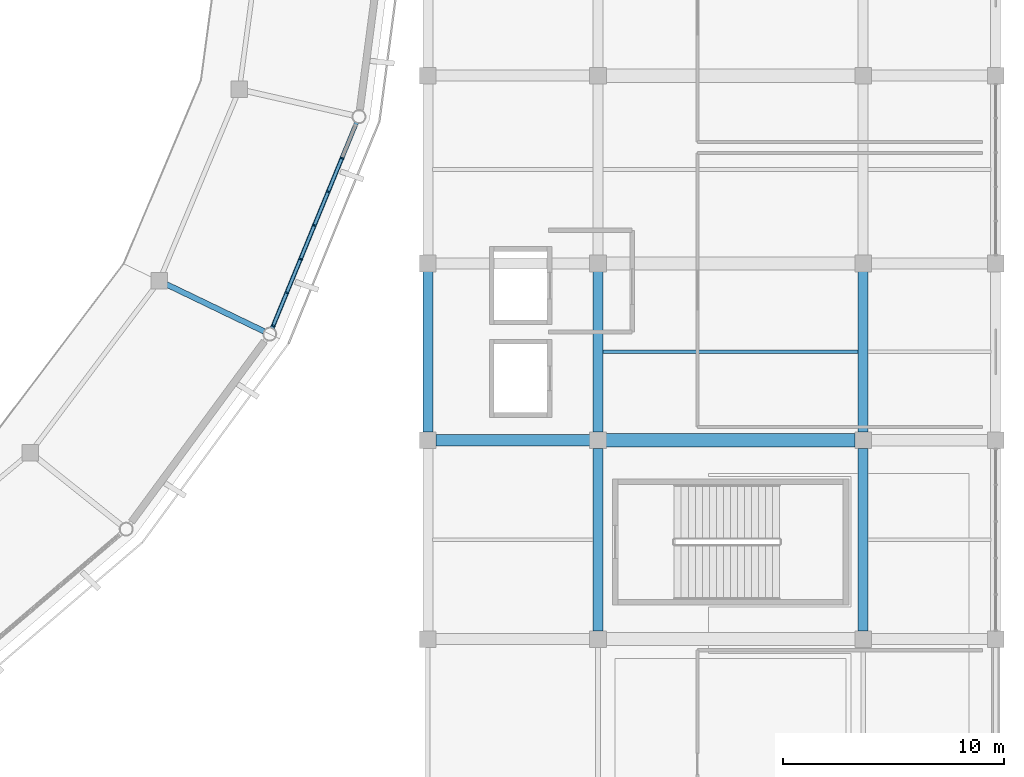
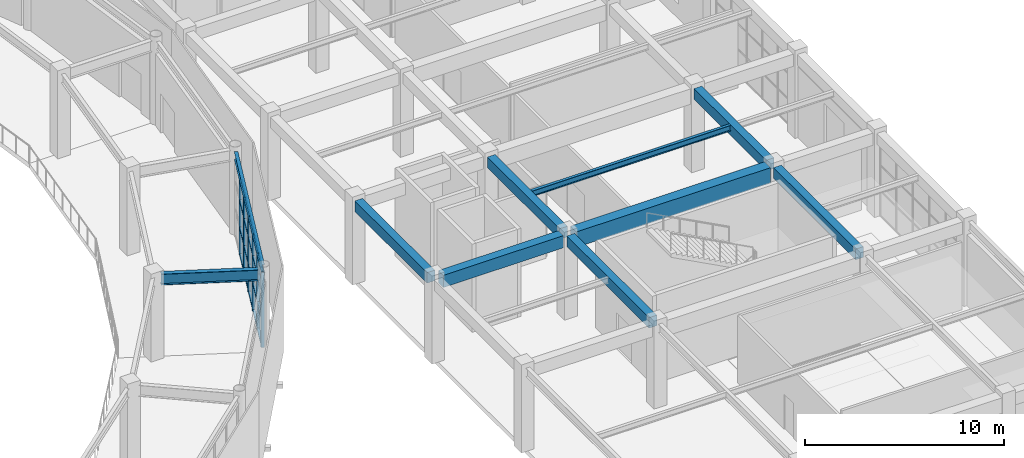
# One storey, part 34 of 70: 26 members, 10 beams, 1 element without a shape of its own.
"""IFC4 building model written with IfcOpenShell, lengths in metres."""

from ifc_helpers import new_model, si_unit, direction, frame, origin, origin_2d, place, context, subcontext, project, spatial, rectangle, i_section, extrude, material, material_profile, profile_set, type_object, element, aggregate, save


model = new_model("IFC4")

# Units and contexts
model_context = context("Model", 3, precision=1e-05, world=origin(), true_north=direction((0.0, 1.0)))
body_context = subcontext(model_context, "Body", "Model", "MODEL_VIEW")
ifc_project = project(units=[si_unit("LENGTHUNIT", "METRE"), si_unit("AREAUNIT", "SQUARE_METRE"), si_unit("VOLUMEUNIT", "CUBIC_METRE"), si_unit("PLANEANGLEUNIT", "RADIAN"), si_unit("MASSUNIT", "GRAM", prefix="KILO")], contexts=[model_context])

# Site, building, storey
site_placement = place(None, origin())
site = spatial("IfcSite", under=ifc_project, at=site_placement, CompositionType="ELEMENT")
building_placement = place(site_placement, origin())
building = spatial("IfcBuilding", under=site, at=building_placement, Name="Cuetzalor Civic Arena", CompositionType="ELEMENT")
storey_placement = place(building_placement, frame((0.0, 0.0, 21.0)))
storey = spatial("IfcBuildingStorey", under=building, at=storey_placement, Name="L04", CompositionType="ELEMENT", Elevation=21.0)

# Beams
ifc_material_1 = material(Name="Concrete C40/50", Category="concrete")
ifc_material_profile_1 = material_profile(ifc_material_1, rectangle(XDim=0.5, YDim=0.75, at=origin_2d()), Name="RC 500x750")
ifc_profile_set_1 = profile_set([ifc_material_profile_1], Name="Concrete C40/50")
beam_type_1 = type_object("IfcBeamType", Name="ConcreteFrameBeam_500x750", PredefinedType="BEAM", material=ifc_profile_set_1)
beam_1_placement = place(storey_placement, frame((56.6650390625, -25.0, 4.7451171875), z_axis=(1.0, 0.0, 0.0), x_axis=(0.0, 1.0, 0.0)))
element("IfcBeam", 1, at=beam_1_placement, inside=storey, type_object=beam_type_1, Name="Frame Girder V4E-L04-X1154", PredefinedType="BEAM", context=body_context, shape_type="SweptSolid", body=[
    extrude(rectangle(XDim=0.5, YDim=0.75, at=origin_2d()), origin(), (0.0, 0.0, 1.0), 6.969970703125),
])
ifc_material_2 = material(Name="Concrete C40/50", Category="concrete")
ifc_material_profile_2 = material_profile(ifc_material_2, rectangle(XDim=0.60009765625, YDim=0.949951171875, at=origin_2d()), Name="RC 600x950")
ifc_profile_set_2 = profile_set([ifc_material_profile_2], Name="Concrete C40/50")
beam_type_2 = type_object("IfcBeamType", Name="ConcreteFrameBeam_600x950", PredefinedType="BEAM", material=ifc_profile_set_2)
beam_2_placement = place(storey_placement, frame((64.364990234375, -25.0, 4.64501953125), z_axis=(1.0, 0.0, 0.0), x_axis=(0.0, 1.0, 0.0)))
element("IfcBeam", 2, at=beam_2_placement, inside=storey, type_object=beam_type_2, Name="Frame Girder V4E-L04-X1155", PredefinedType="BEAM", context=body_context, shape_type="SweptSolid", body=[
    extrude(rectangle(XDim=0.60009765625, YDim=0.949951171875, at=origin_2d()), origin(), (0.0, 0.0, 1.0), 11.27001953125),
])
ifc_material_3 = material(Name="Concrete C40/50", Category="concrete")
ifc_material_profile_3 = material_profile(ifc_material_3, rectangle(XDim=0.449951171875, YDim=0.64990234375, at=origin_2d()), Name="RC 450x650")
ifc_profile_set_3 = profile_set([ifc_material_profile_3], Name="Concrete C40/50")
beam_type_3 = type_object("IfcBeamType", Name="ConcreteTieBeam_450x650", PredefinedType="BEAM", material=ifc_profile_set_3)
beam_3_placement = place(storey_placement, frame((56.300048828125, -24.635009765625, 4.794921875), z_axis=(0.0, 1.0, 0.0), x_axis=(-1.0, 0.0, 0.0)))
element("IfcBeam", 3, at=beam_3_placement, inside=storey, type_object=beam_type_3, Name="Frame Girder V4E-L04-Y1177", PredefinedType="BEAM", context=body_context, shape_type="SweptSolid", body=[
    extrude(rectangle(XDim=0.449951171875, YDim=0.64990234375, at=origin_2d()), origin(), (0.0, 0.0, 1.0), 7.27001953125),
])
beam_4_placement = place(storey_placement, frame((64.0, -33.635009765625, 4.794921875), z_axis=(0.0, 1.0, 0.0), x_axis=(-1.0, 0.0, 0.0)))
element("IfcBeam", 4, at=beam_4_placement, inside=storey, type_object=beam_type_3, Name="Frame Girder V4E-L04-Y1184", PredefinedType="BEAM", context=body_context, shape_type="SweptSolid", body=[
    extrude(rectangle(XDim=0.449951171875, YDim=0.64990234375, at=origin_2d()), origin(), (0.0, 0.0, 1.0), 8.27001953125),
])
beam_5_placement = place(storey_placement, frame((64.0, -24.635009765625, 4.794921875), z_axis=(0.0, 1.0, 0.0), x_axis=(-1.0, 0.0, 0.0)))
element("IfcBeam", 5, at=beam_5_placement, inside=storey, type_object=beam_type_3, Name="Frame Girder V4E-L04-Y1185", PredefinedType="BEAM", context=body_context, shape_type="SweptSolid", body=[
    extrude(rectangle(XDim=0.449951171875, YDim=0.64990234375, at=origin_2d()), origin(), (0.0, 0.0, 1.0), 7.27001953125),
])
beam_6_placement = place(storey_placement, frame((76.0, -33.635009765625, 4.794921875), z_axis=(0.0, 1.0, 0.0), x_axis=(-1.0, 0.0, 0.0)))
element("IfcBeam", 6, at=beam_6_placement, inside=storey, type_object=beam_type_3, Name="Frame Girder V4E-L04-Y1192", PredefinedType="BEAM", context=body_context, shape_type="SweptSolid", body=[
    extrude(rectangle(XDim=0.449951171875, YDim=0.64990234375, at=origin_2d()), origin(), (0.0, 0.0, 1.0), 8.27001953125),
])
beam_7_placement = place(storey_placement, frame((76.0, -24.635009765625, 4.794921875), z_axis=(0.0, 1.0, 0.0), x_axis=(-1.0, 0.0, 0.0)))
element("IfcBeam", 7, at=beam_7_placement, inside=storey, type_object=beam_type_3, Name="Frame Girder V4E-L04-Y1193", PredefinedType="BEAM", context=body_context, shape_type="SweptSolid", body=[
    extrude(rectangle(XDim=0.449951171875, YDim=0.64990234375, at=origin_2d()), origin(), (0.0, 0.0, 1.0), 7.27001953125),
])

# Curtain wall, members
ifc_material_4 = material(Name="Anodised dark bronze aluminium and low-E solar glass", Category="aluminium")
curtain_wall_type = type_object("IfcCurtainWallType", Name="UnitisedCW_9850x4650", PredefinedType="USERDEFINED", material=ifc_material_4)
curtain_wall_placement = place(storey_placement, origin())
curtain_wall = element("IfcCurtainWall", 8, at=curtain_wall_placement, inside=storey, type_object=curtain_wall_type, Name="Drum Triangle Foyer Curtain Wall L04-068", ObjectType="UNITISED CURTAIN WALL", PredefinedType="USERDEFINED")
ifc_material_5 = material(Name="Anodised dark bronze aluminium", Category="aluminium")
ifc_material_profile_4 = material_profile(ifc_material_5, rectangle(XDim=0.070068359375, YDim=0.179931640625, at=origin_2d()), Name="ALU MULLION 70x180")
ifc_profile_set_4 = profile_set([ifc_material_profile_4], Name="Anodised dark bronze aluminium")
member_type_1 = type_object("IfcMemberType", Name="CurtainWallMullion_65x180", PredefinedType="MULLION", material=ifc_profile_set_4)
member_1_placement = place(storey_placement, frame((52.413818359375, -12.232421875, 0.0), z_axis=(0.0, 0.0, 1.0), x_axis=(-0.379391428583, -0.925236263836, 0.0)))
member_1 = element("IfcMember", 9, at=member_1_placement, type_object=member_type_1, Name="CW-11 mullion 2", PredefinedType="MULLION", context=body_context, shape_type="SweptSolid", body=[
    extrude(rectangle(XDim=0.070068359375, YDim=0.179931640625, at=origin_2d()), origin(), (0.0, 0.0, 1.0), 4.653076171875),
])
member_2_placement = place(storey_placement, frame((51.78955078125, -13.755126953125, 0.0), z_axis=(0.0, 0.0, 1.0), x_axis=(-0.379391428583, -0.925236263836, 0.0)))
member_2 = element("IfcMember", 10, at=member_2_placement, type_object=member_type_1, Name="CW-11 mullion 3", PredefinedType="MULLION", context=body_context, shape_type="SweptSolid", body=[
    extrude(rectangle(XDim=0.070068359375, YDim=0.179931640625, at=origin_2d()), origin(), (0.0, 0.0, 1.0), 4.653076171875),
])
member_3_placement = place(storey_placement, frame((51.1650390625, -15.27783203125, 0.0), z_axis=(0.0, 0.0, 1.0), x_axis=(-0.379391428583, -0.925236263836, 0.0)))
member_3 = element("IfcMember", 11, at=member_3_placement, type_object=member_type_1, Name="CW-11 mullion 4", PredefinedType="MULLION", context=body_context, shape_type="SweptSolid", body=[
    extrude(rectangle(XDim=0.070068359375, YDim=0.179931640625, at=origin_2d()), origin(), (0.0, 0.0, 1.0), 4.653076171875),
])
member_4_placement = place(storey_placement, frame((50.540771484375, -16.800537109375, 0.0), z_axis=(0.0, 0.0, 1.0), x_axis=(-0.379391428583, -0.925236263836, 0.0)))
member_4 = element("IfcMember", 12, at=member_4_placement, type_object=member_type_1, Name="CW-11 mullion 5", PredefinedType="MULLION", context=body_context, shape_type="SweptSolid", body=[
    extrude(rectangle(XDim=0.070068359375, YDim=0.179931640625, at=origin_2d()), origin(), (0.0, 0.0, 1.0), 4.653076171875),
])
member_5_placement = place(storey_placement, frame((49.916259765625, -18.3232421875, 0.0), z_axis=(0.0, 0.0, 1.0), x_axis=(-0.379391428583, -0.925236263836, 0.0)))
member_5 = element("IfcMember", 13, at=member_5_placement, type_object=member_type_1, Name="CW-11 mullion 6", PredefinedType="MULLION", context=body_context, shape_type="SweptSolid", body=[
    extrude(rectangle(XDim=0.070068359375, YDim=0.179931640625, at=origin_2d()), origin(), (0.0, 0.0, 1.0), 4.653076171875),
])
member_6_placement = place(storey_placement, frame((49.30517578125, -19.8134765625, 0.0), z_axis=(0.0, 0.0, 1.0), x_axis=(-0.379391428583, -0.925236263836, 0.0)))
member_6 = element("IfcMember", 14, at=member_6_placement, type_object=member_type_1, Name="CW-11 mullion 7", PredefinedType="MULLION", context=body_context, shape_type="SweptSolid", body=[
    extrude(rectangle(XDim=0.070068359375, YDim=0.179931640625, at=origin_2d()), origin(), (0.0, 0.0, 1.0), 4.653076171875),
])
ifc_material_6 = material(Name="Anodised dark bronze aluminium", Category="aluminium")
ifc_material_profile_5 = material_profile(ifc_material_6, rectangle(XDim=0.139892578125, YDim=0.070068359375, at=origin_2d()), Name="ALU TRANSOM 70x140")
ifc_profile_set_5 = profile_set([ifc_material_profile_5], Name="Anodised dark bronze aluminium")
member_type_2 = type_object("IfcMemberType", Name="CurtainWallTransom_65x140", PredefinedType="USERDEFINED", material=ifc_profile_set_5)
member_7_placement = place(storey_placement, frame((52.400634765625, -12.264892578125, 0.034912109375), z_axis=(-0.37947133734, -0.925203493367, 0.0), x_axis=(0.925203493367, -0.37947133734, 0.0)))
member_7 = element("IfcMember", 15, at=member_7_placement, type_object=member_type_2, Name="CW-11 transom 2.1", ObjectType="TRANSOM", PredefinedType="USERDEFINED", context=body_context, shape_type="SweptSolid", body=[
    extrude(rectangle(XDim=0.139892578125, YDim=0.070068359375, at=origin_2d()), origin(), (0.0, 0.0, 1.0), 1.57568359375),
])
member_8_placement = place(storey_placement, frame((52.400634765625, -12.264892578125, 1.675048828125), z_axis=(-0.37947133734, -0.925203493367, 0.0), x_axis=(0.925203493367, -0.37947133734, 0.0)))
member_8 = element("IfcMember", 16, at=member_8_placement, type_object=member_type_2, Name="CW-11 transom 2.2", ObjectType="TRANSOM", PredefinedType="USERDEFINED", context=body_context, shape_type="SweptSolid", body=[
    extrude(rectangle(XDim=0.139892578125, YDim=0.070068359375, at=origin_2d()), origin(), (0.0, 0.0, 1.0), 1.57568359375),
])
member_9_placement = place(storey_placement, frame((52.400634765625, -12.264892578125, 3.35009765625), z_axis=(-0.37947133734, -0.925203493367, 0.0), x_axis=(0.925203493367, -0.37947133734, 0.0)))
member_9 = element("IfcMember", 17, at=member_9_placement, type_object=member_type_2, Name="CW-11 transom 2.3", ObjectType="TRANSOM", PredefinedType="USERDEFINED", context=body_context, shape_type="SweptSolid", body=[
    extrude(rectangle(XDim=0.139892578125, YDim=0.070068359375, at=origin_2d()), origin(), (0.0, 0.0, 1.0), 1.57568359375),
])
member_10_placement = place(storey_placement, frame((52.400634765625, -12.264892578125, 4.617919921875), z_axis=(-0.37947133734, -0.925203493367, 0.0), x_axis=(0.925203493367, -0.37947133734, 0.0)))
member_10 = element("IfcMember", 18, at=member_10_placement, type_object=member_type_2, Name="CW-11 transom 2.4", ObjectType="TRANSOM", PredefinedType="USERDEFINED", context=body_context, shape_type="SweptSolid", body=[
    extrude(rectangle(XDim=0.139892578125, YDim=0.070068359375, at=origin_2d()), origin(), (0.0, 0.0, 1.0), 1.57568359375),
])
member_11_placement = place(storey_placement, frame((51.776123046875, -13.78759765625, 0.034912109375), z_axis=(-0.379338688632, -0.925257888, 0.0), x_axis=(0.925257888, -0.379338688632, 0.0)))
member_11 = element("IfcMember", 19, at=member_11_placement, type_object=member_type_2, Name="CW-11 transom 3.1", ObjectType="TRANSOM", PredefinedType="USERDEFINED", context=body_context, shape_type="SweptSolid", body=[
    extrude(rectangle(XDim=0.139892578125, YDim=0.070068359375, at=origin_2d()), origin(), (0.0, 0.0, 1.0), 1.575439453125),
])
member_12_placement = place(storey_placement, frame((51.776123046875, -13.78759765625, 1.675048828125), z_axis=(-0.379338688632, -0.925257888, 0.0), x_axis=(0.925257888, -0.379338688632, 0.0)))
member_12 = element("IfcMember", 20, at=member_12_placement, type_object=member_type_2, Name="CW-11 transom 3.2", ObjectType="TRANSOM", PredefinedType="USERDEFINED", context=body_context, shape_type="SweptSolid", body=[
    extrude(rectangle(XDim=0.139892578125, YDim=0.070068359375, at=origin_2d()), origin(), (0.0, 0.0, 1.0), 1.575439453125),
])
member_13_placement = place(storey_placement, frame((51.776123046875, -13.78759765625, 3.35009765625), z_axis=(-0.379338688632, -0.925257888, 0.0), x_axis=(0.925257888, -0.379338688632, 0.0)))
member_13 = element("IfcMember", 21, at=member_13_placement, type_object=member_type_2, Name="CW-11 transom 3.3", ObjectType="TRANSOM", PredefinedType="USERDEFINED", context=body_context, shape_type="SweptSolid", body=[
    extrude(rectangle(XDim=0.139892578125, YDim=0.070068359375, at=origin_2d()), origin(), (0.0, 0.0, 1.0), 1.575439453125),
])
member_14_placement = place(storey_placement, frame((51.776123046875, -13.78759765625, 4.617919921875), z_axis=(-0.379338688632, -0.925257888, 0.0), x_axis=(0.925257888, -0.379338688632, 0.0)))
member_14 = element("IfcMember", 22, at=member_14_placement, type_object=member_type_2, Name="CW-11 transom 3.4", ObjectType="TRANSOM", PredefinedType="USERDEFINED", context=body_context, shape_type="SweptSolid", body=[
    extrude(rectangle(XDim=0.139892578125, YDim=0.070068359375, at=origin_2d()), origin(), (0.0, 0.0, 1.0), 1.575439453125),
])
member_15_placement = place(storey_placement, frame((51.15185546875, -15.310302734375, 0.034912109375), z_axis=(-0.37947133734, -0.925203493367, 0.0), x_axis=(0.925203493367, -0.37947133734, 0.0)))
member_15 = element("IfcMember", 23, at=member_15_placement, type_object=member_type_2, Name="CW-11 transom 4.1", ObjectType="TRANSOM", PredefinedType="USERDEFINED", context=body_context, shape_type="SweptSolid", body=[
    extrude(rectangle(XDim=0.139892578125, YDim=0.070068359375, at=origin_2d()), origin(), (0.0, 0.0, 1.0), 1.57568359375),
])
member_16_placement = place(storey_placement, frame((51.15185546875, -15.310302734375, 1.675048828125), z_axis=(-0.37947133734, -0.925203493367, 0.0), x_axis=(0.925203493367, -0.37947133734, 0.0)))
member_16 = element("IfcMember", 24, at=member_16_placement, type_object=member_type_2, Name="CW-11 transom 4.2", ObjectType="TRANSOM", PredefinedType="USERDEFINED", context=body_context, shape_type="SweptSolid", body=[
    extrude(rectangle(XDim=0.139892578125, YDim=0.070068359375, at=origin_2d()), origin(), (0.0, 0.0, 1.0), 1.57568359375),
])
member_17_placement = place(storey_placement, frame((51.15185546875, -15.310302734375, 3.35009765625), z_axis=(-0.37947133734, -0.925203493367, 0.0), x_axis=(0.925203493367, -0.37947133734, 0.0)))
member_17 = element("IfcMember", 25, at=member_17_placement, type_object=member_type_2, Name="CW-11 transom 4.3", ObjectType="TRANSOM", PredefinedType="USERDEFINED", context=body_context, shape_type="SweptSolid", body=[
    extrude(rectangle(XDim=0.139892578125, YDim=0.070068359375, at=origin_2d()), origin(), (0.0, 0.0, 1.0), 1.57568359375),
])
member_18_placement = place(storey_placement, frame((51.15185546875, -15.310302734375, 4.617919921875), z_axis=(-0.37947133734, -0.925203493367, 0.0), x_axis=(0.925203493367, -0.37947133734, 0.0)))
member_18 = element("IfcMember", 26, at=member_18_placement, type_object=member_type_2, Name="CW-11 transom 4.4", ObjectType="TRANSOM", PredefinedType="USERDEFINED", context=body_context, shape_type="SweptSolid", body=[
    extrude(rectangle(XDim=0.139892578125, YDim=0.070068359375, at=origin_2d()), origin(), (0.0, 0.0, 1.0), 1.57568359375),
])
member_19_placement = place(storey_placement, frame((50.52734375, -16.832763671875, 0.034912109375), z_axis=(-0.379284307452, -0.925280181416, 0.0), x_axis=(0.925280181416, -0.379284307452, 0.0)))
member_19 = element("IfcMember", 27, at=member_19_placement, type_object=member_type_2, Name="CW-11 transom 5.1", ObjectType="TRANSOM", PredefinedType="USERDEFINED", context=body_context, shape_type="SweptSolid", body=[
    extrude(rectangle(XDim=0.139892578125, YDim=0.070068359375, at=origin_2d()), origin(), (0.0, 0.0, 1.0), 1.57568359375),
])
member_20_placement = place(storey_placement, frame((50.52734375, -16.832763671875, 1.675048828125), z_axis=(-0.379284307452, -0.925280181416, 0.0), x_axis=(0.925280181416, -0.379284307452, 0.0)))
member_20 = element("IfcMember", 28, at=member_20_placement, type_object=member_type_2, Name="CW-11 transom 5.2", ObjectType="TRANSOM", PredefinedType="USERDEFINED", context=body_context, shape_type="SweptSolid", body=[
    extrude(rectangle(XDim=0.139892578125, YDim=0.070068359375, at=origin_2d()), origin(), (0.0, 0.0, 1.0), 1.57568359375),
])
member_21_placement = place(storey_placement, frame((50.52734375, -16.832763671875, 3.35009765625), z_axis=(-0.379284307452, -0.925280181416, 0.0), x_axis=(0.925280181416, -0.379284307452, 0.0)))
member_21 = element("IfcMember", 29, at=member_21_placement, type_object=member_type_2, Name="CW-11 transom 5.3", ObjectType="TRANSOM", PredefinedType="USERDEFINED", context=body_context, shape_type="SweptSolid", body=[
    extrude(rectangle(XDim=0.139892578125, YDim=0.070068359375, at=origin_2d()), origin(), (0.0, 0.0, 1.0), 1.57568359375),
])
member_22_placement = place(storey_placement, frame((50.52734375, -16.832763671875, 4.617919921875), z_axis=(-0.379284307452, -0.925280181416, 0.0), x_axis=(0.925280181416, -0.379284307452, 0.0)))
member_22 = element("IfcMember", 30, at=member_22_placement, type_object=member_type_2, Name="CW-11 transom 5.4", ObjectType="TRANSOM", PredefinedType="USERDEFINED", context=body_context, shape_type="SweptSolid", body=[
    extrude(rectangle(XDim=0.139892578125, YDim=0.070068359375, at=origin_2d()), origin(), (0.0, 0.0, 1.0), 1.57568359375),
])
member_23_placement = place(storey_placement, frame((49.903076171875, -18.35546875, 0.034912109375), z_axis=(-0.379354637702, -0.925251349015, 0.0), x_axis=(0.925251349015, -0.379354637702, 0.0)))
member_23 = element("IfcMember", 31, at=member_23_placement, type_object=member_type_2, Name="CW-11 transom 6.1", ObjectType="TRANSOM", PredefinedType="USERDEFINED", context=body_context, shape_type="SweptSolid", body=[
    extrude(rectangle(XDim=0.139892578125, YDim=0.070068359375, at=origin_2d()), origin(), (0.0, 0.0, 1.0), 1.540771484375),
])
member_24_placement = place(storey_placement, frame((49.903076171875, -18.35546875, 1.675048828125), z_axis=(-0.379354637702, -0.925251349015, 0.0), x_axis=(0.925251349015, -0.379354637702, 0.0)))
member_24 = element("IfcMember", 32, at=member_24_placement, type_object=member_type_2, Name="CW-11 transom 6.2", ObjectType="TRANSOM", PredefinedType="USERDEFINED", context=body_context, shape_type="SweptSolid", body=[
    extrude(rectangle(XDim=0.139892578125, YDim=0.070068359375, at=origin_2d()), origin(), (0.0, 0.0, 1.0), 1.540771484375),
])
member_25_placement = place(storey_placement, frame((49.903076171875, -18.35546875, 3.35009765625), z_axis=(-0.379354637702, -0.925251349015, 0.0), x_axis=(0.925251349015, -0.379354637702, 0.0)))
member_25 = element("IfcMember", 33, at=member_25_placement, type_object=member_type_2, Name="CW-11 transom 6.3", ObjectType="TRANSOM", PredefinedType="USERDEFINED", context=body_context, shape_type="SweptSolid", body=[
    extrude(rectangle(XDim=0.139892578125, YDim=0.070068359375, at=origin_2d()), origin(), (0.0, 0.0, 1.0), 1.540771484375),
])
member_26_placement = place(storey_placement, frame((49.903076171875, -18.35546875, 4.617919921875), z_axis=(-0.379354637702, -0.925251349015, 0.0), x_axis=(0.925251349015, -0.379354637702, 0.0)))
member_26 = element("IfcMember", 34, at=member_26_placement, type_object=member_type_2, Name="CW-11 transom 6.4", ObjectType="TRANSOM", PredefinedType="USERDEFINED", context=body_context, shape_type="SweptSolid", body=[
    extrude(rectangle(XDim=0.139892578125, YDim=0.070068359375, at=origin_2d()), origin(), (0.0, 0.0, 1.0), 1.540771484375),
])
aggregate(curtain_wall, [member_1, member_2, member_3, member_4, member_5, member_6, member_7, member_8, member_9, member_10, member_11, member_12, member_13, member_14, member_15, member_16, member_17, member_18, member_19, member_20, member_21, member_22, member_23, member_24, member_25, member_26])

# Beams
ifc_material_7 = material(Name="Steel S355", Category="steel")
ifc_material_profile_6 = material_profile(ifc_material_7, i_section(OverallWidth=0.18994140625, OverallDepth=0.45703125, WebThickness=0.009033203125, FlangeThickness=0.014404296875, at=origin_2d()), Name="W460x74")
ifc_profile_set_6 = profile_set([ifc_material_profile_6], Name="Steel S355")
beam_type_4 = type_object("IfcBeamType", Name="FacadeSpandrelBeam_W460", PredefinedType="SPANDREL", material=ifc_profile_set_6)
beam_8_placement = place(storey_placement, frame((49.2578125, -19.928955078125, 4.8916015625), z_axis=(0.379398599643, 0.925233323324, 0.0), x_axis=(-0.925233323324, 0.379398599643, 0.0)))
element("IfcBeam", 35, at=beam_8_placement, inside=storey, type_object=beam_type_4, Name="Drum Perimeter Spandrel L04-S27", PredefinedType="SPANDREL", context=body_context, shape_type="SweptSolid", body=[
    extrude(i_section(OverallWidth=0.18994140625, OverallDepth=0.45703125, WebThickness=0.009033203125, FlangeThickness=0.014404296875, at=origin_2d()), origin(), (0.0, 0.0, 1.0), 10.053955078125),
])
ifc_material_8 = material(Name="Steel S355", Category="steel")
ifc_material_profile_7 = material_profile(ifc_material_8, i_section(OverallWidth=0.1708984375, OverallDepth=0.35498046875, WebThickness=0.007080078125, FlangeThickness=0.01171875, at=origin_2d()), Name="W360x51")
ifc_profile_set_7 = profile_set([ifc_material_profile_7], Name="Steel S355")
beam_type_5 = type_object("IfcBeamType", Name="SecondaryFloorJoist_W360", PredefinedType="JOIST", material=ifc_profile_set_7)
beam_9_placement = place(storey_placement, frame((64.217041015625, -21.0, 4.9423828125), z_axis=(1.0, 0.0, 0.0), x_axis=(0.0, 1.0, 0.0)))
element("IfcBeam", 36, at=beam_9_placement, inside=storey, type_object=beam_type_5, Name="Secondary Floor Joist V4E-L04-0365", PredefinedType="JOIST", context=body_context, shape_type="SweptSolid", body=[
    extrude(i_section(OverallWidth=0.1708984375, OverallDepth=0.35498046875, WebThickness=0.007080078125, FlangeThickness=0.01171875, at=origin_2d()), origin(), (0.0, 0.0, 1.0), 11.56591796875),
])
ifc_material_9 = material(Name="Steel S355", Category="steel")
ifc_material_profile_8 = material_profile(ifc_material_9, i_section(OverallWidth=0.2529296875, OverallDepth=0.677978515625, WebThickness=0.01171875, FlangeThickness=0.016357421875, at=origin_2d()), Name="W690x125")
ifc_profile_set_8 = profile_set([ifc_material_profile_8], Name="Steel S355")
beam_type_6 = type_object("IfcBeamType", Name="SteelPrimaryGirder_W690", PredefinedType="BEAM", material=ifc_profile_set_8)
beam_10_placement = place(storey_placement, frame((44.4716796875, -17.9453125, 4.781005859375), z_axis=(0.900964883231, -0.433892013275, 0.0), x_axis=(0.433892013275, 0.900964883231, 0.0)))
element("IfcBeam", 37, at=beam_10_placement, inside=storey, type_object=beam_type_6, Name="Drum Radial Girder L04-R27", PredefinedType="BEAM", context=body_context, shape_type="SweptSolid", body=[
    extrude(i_section(OverallWidth=0.2529296875, OverallDepth=0.677978515625, WebThickness=0.01171875, FlangeThickness=0.016357421875, at=origin_2d()), origin(), (0.0, 0.0, 1.0), 4.900390625),
])

save(model, "model.ifc")
